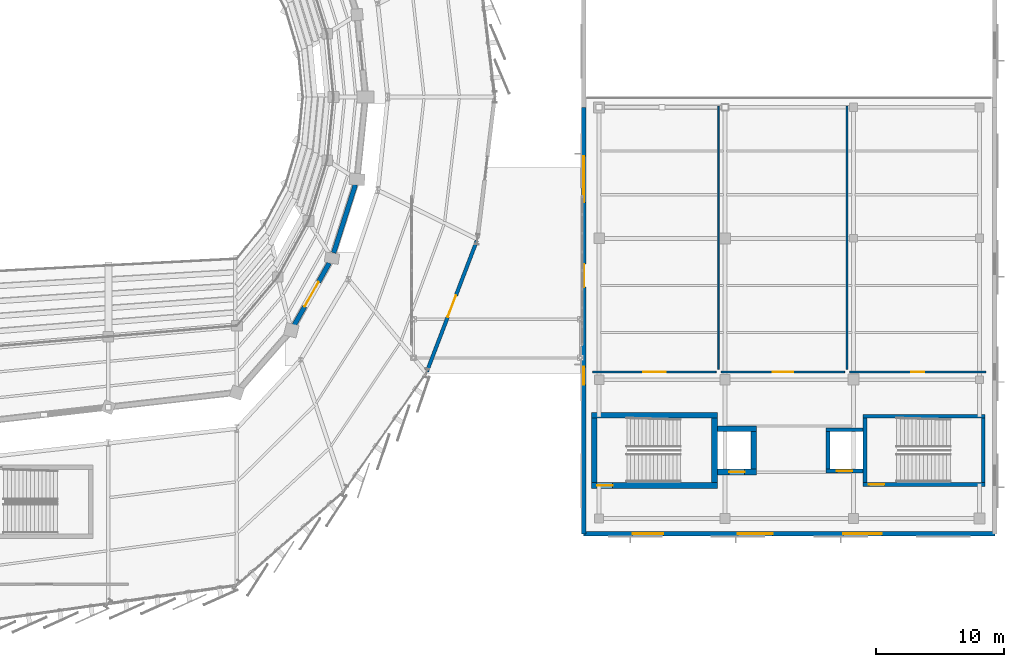
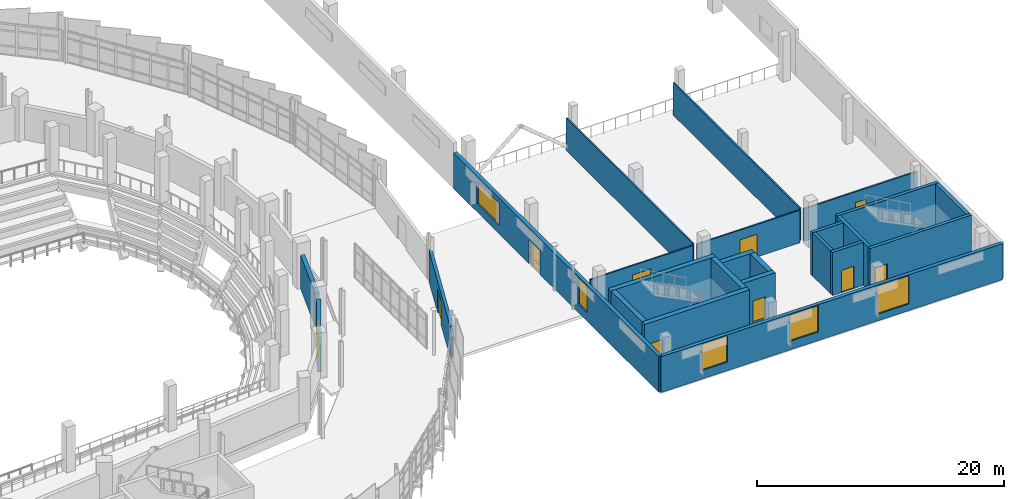
# One storey, part 114 of 134: 24 walls, 10 doors, 5 windows, 15 openings.
"""IFC4 building model written with IfcOpenShell, lengths in metres."""

from ifc_helpers import new_model, si_unit, direction, frame, frame_2d, origin, place, context, subcontext, project, spatial, rectangle, extrude, material, layer, layer_set, type_object, element, fill, save


model = new_model("IFC4")

# Units and contexts
model_context = context("Model", 3, precision=1e-05, world=origin(), true_north=direction((0.0, 1.0)))
body_context = subcontext(model_context, "Body", "Model", "MODEL_VIEW")
ifc_project = project(units=[si_unit("LENGTHUNIT", "METRE"), si_unit("AREAUNIT", "SQUARE_METRE"), si_unit("VOLUMEUNIT", "CUBIC_METRE"), si_unit("PLANEANGLEUNIT", "RADIAN"), si_unit("MASSUNIT", "GRAM", prefix="KILO")], contexts=[model_context])

# Site, building, storey
site_placement = place(None, origin())
site = spatial("IfcSite", under=ifc_project, at=site_placement, CompositionType="ELEMENT")
building_placement = place(site_placement, origin())
building = spatial("IfcBuilding", under=site, at=building_placement, Name="Sohan Crest Arena", CompositionType="ELEMENT")
storey_placement = place(building_placement, frame((0.0, 0.0, 4.5)))
storey = spatial("IfcBuildingStorey", under=building, at=storey_placement, Name="L01", CompositionType="ELEMENT", Elevation=4.5)

# Wall, opening, door
ifc_material_1 = material(Name="Clinker brick and ceramic mosaic envelope wall", Category="masonry")
ifc_layer_1 = layer(ifc_material_1, 0.280029296875, Name="Clinker brick and ceramic mosaic envelope wall")
ifc_layer_set_1 = layer_set([ifc_layer_1], Name="Clinker brick and ceramic mosaic envelope wall")
wall_type_1 = type_object("IfcWallType", Name="WAL-EW02", PredefinedType="SOLIDWALL", material=ifc_layer_set_1)
wall_1_placement = place(storey_placement, frame((182.794921875, 56.632080078125, 0.0), z_axis=(0.0, 0.0, 1.0), x_axis=(0.356562856752, 0.934271335954, 0.0)))
wall_1 = element("IfcWall", 1, at=wall_1_placement, inside=storey, type_object=wall_type_1, Name="External wall EW-090", PredefinedType="SOLIDWALL", context=body_context, shape_type="SweptSolid", body=[
    extrude(rectangle(XDim=10.89306640625, YDim=0.280029296875, at=frame_2d((5.446533203125, 0.0))), origin(), (0.0, 0.0, 1.0), 3.10009765625),
])
opening_1_placement = place(wall_1_placement, frame((4.5458984375, 0.0, 0.0)))
opening_1 = element("IfcOpeningElement", 2, at=opening_1_placement, cuts=wall_1, Name="Opening BD-L01-22", PredefinedType="OPENING", context=body_context, shape_type="SweptSolid", body=[
    extrude(rectangle(XDim=1.800048828125, YDim=2.35009765625, at=frame_2d((0.89990234375, 1.175048828125))), frame((0.0, 0.14990234375, 0.0), z_axis=(0.0, -1.0, 0.0), x_axis=(1.0, 0.0, 0.0)), (0.0, 0.0, 1.0), 0.300048828125),
])
ifc_material_2 = material(Name="Glazed aluminium terrace access door", Category="aluminium")
door_type_1 = type_object("IfcDoorType", Name="DR-ED01", OperationType="DOUBLE_DOOR_SINGLE_SWING", PredefinedType="DOOR", material=ifc_material_2)
door_1_placement = place(opening_1_placement, frame((1.800048828125, 0.0, 0.0), z_axis=(0.0, 0.0, 1.0), x_axis=(-1.0, 0.0, 0.0)))
door_1 = element("IfcDoor", 3, at=door_1_placement, inside=storey, type_object=door_type_1, Name="Covered bridge passage door BD-L01-22", OperationType="DOUBLE_DOOR_SINGLE_SWING", OverallHeight=2.35009765625, OverallWidth=1.800048828125, PredefinedType="DOOR", context=body_context, shape_type="SweptSolid", body=[
    extrude(rectangle(XDim=1.800048828125, YDim=2.35009765625, at=frame_2d((0.89990234375, 1.175048828125))), frame((0.0, 0.02490234375, 0.0), z_axis=(0.0, -1.0, 0.0), x_axis=(1.0, 0.0, 0.0)), (0.0, 0.0, 1.0), 0.050048828125),
])
fill(opening_1, door_1)

# Wall, openings, windows
ifc_material_3 = material(Name="Honed dark basalt stone cladding wall", Category="masonry")
ifc_layer_2 = layer(ifc_material_3, 0.340087890625, Name="Honed dark basalt stone cladding wall")
ifc_layer_set_2 = layer_set([ifc_layer_2], Name="Honed dark basalt stone cladding wall")
wall_type_2 = type_object("IfcWallType", Name="WAL-EW04", PredefinedType="SOLIDWALL", material=ifc_layer_set_2)
wall_2_placement = place(storey_placement, frame((195.0, 44.0, 0.0), z_axis=(0.0, 0.0, 1.0), x_axis=(1.0, 0.0, 0.0)))
wall_2 = element("IfcWall", 4, at=wall_2_placement, inside=storey, type_object=wall_type_2, Name="External wall EW-108", PredefinedType="SOLIDWALL", context=body_context, shape_type="SweptSolid", body=[
    extrude(rectangle(XDim=32.0, YDim=0.340087890625, at=frame_2d((16.0, 0.0))), origin(), (0.0, 0.0, 1.0), 3.550048828125),
])
opening_2_placement = place(wall_2_placement, frame((3.800048828125, 0.0, 0.85009765625)))
opening_2 = element("IfcOpeningElement", 5, at=opening_2_placement, cuts=wall_2, Name="Opening W-003", PredefinedType="OPENING", context=body_context, shape_type="SweptSolid", body=[
    extrude(rectangle(XDim=2.39990234375, YDim=2.60009765625, at=frame_2d((1.199951171875, 1.300048828125))), frame((0.0, 0.179931640625, 0.0), z_axis=(0.0, -1.0, 0.0), x_axis=(1.0, 0.0, 0.0)), (0.0, 0.0, 1.0), 0.360107421875),
])
opening_3_placement = place(wall_2_placement, frame((12.0, 0.0, 0.85009765625)))
opening_3 = element("IfcOpeningElement", 6, at=opening_3_placement, cuts=wall_2, Name="Opening W-004", PredefinedType="OPENING", context=body_context, shape_type="SweptSolid", body=[
    extrude(rectangle(XDim=2.699951171875, YDim=2.60009765625, at=frame_2d((1.35009765625, 1.300048828125))), frame((0.0, 0.179931640625, 0.0), z_axis=(0.0, -1.0, 0.0), x_axis=(1.0, 0.0, 0.0)), (0.0, 0.0, 1.0), 0.360107421875),
])
opening_4_placement = place(wall_2_placement, frame((20.199951171875, 0.0, 0.64990234375)))
opening_4 = element("IfcOpeningElement", 7, at=opening_4_placement, cuts=wall_2, Name="Opening W-005", PredefinedType="OPENING", context=body_context, shape_type="SweptSolid", body=[
    extrude(rectangle(XDim=3.0, YDim=2.800048828125, at=frame_2d((1.5, 1.39990234375))), frame((0.0, 0.179931640625, 0.0), z_axis=(0.0, -1.0, 0.0), x_axis=(1.0, 0.0, 0.0)), (0.0, 0.0, 1.0), 0.360107421875),
])
ifc_material_4 = material(Name="Low-E double-glazed insulated glass", Category="glass")
window_type_1 = type_object("IfcWindowType", Name="WIN-W03", PartitioningType="SINGLE_PANEL", PredefinedType="WINDOW", material=ifc_material_4)
window_1_placement = place(opening_2_placement, origin())
window_1 = element("IfcWindow", 8, at=window_1_placement, inside=storey, type_object=window_type_1, Name="Community wing window W-003", OverallHeight=2.60009765625, OverallWidth=2.39990234375, PartitioningType="SINGLE_PANEL", PredefinedType="WINDOW", context=body_context, shape_type="SweptSolid", body=[
    extrude(rectangle(XDim=2.39990234375, YDim=2.60009765625, at=frame_2d((1.199951171875, 1.300048828125))), frame((0.0, 0.030029296875, 0.0), z_axis=(0.0, -1.0, 0.0), x_axis=(1.0, 0.0, 0.0)), (0.0, 0.0, 1.0), 0.06005859375),
])
fill(opening_2, window_1)
window_type_2 = type_object("IfcWindowType", Name="WIN-W04", PartitioningType="SINGLE_PANEL", PredefinedType="WINDOW", material=ifc_material_4)
window_2_placement = place(opening_3_placement, origin())
window_2 = element("IfcWindow", 9, at=window_2_placement, inside=storey, type_object=window_type_2, Name="Community wing window W-004", OverallHeight=2.60009765625, OverallWidth=2.699951171875, PartitioningType="SINGLE_PANEL", PredefinedType="WINDOW", context=body_context, shape_type="SweptSolid", body=[
    extrude(rectangle(XDim=2.699951171875, YDim=2.60009765625, at=frame_2d((1.35009765625, 1.300048828125))), frame((0.0, 0.030029296875, 0.0), z_axis=(0.0, -1.0, 0.0), x_axis=(1.0, 0.0, 0.0)), (0.0, 0.0, 1.0), 0.06005859375),
])
fill(opening_3, window_2)
window_type_3 = type_object("IfcWindowType", Name="WIN-W05", PartitioningType="SINGLE_PANEL", PredefinedType="WINDOW", material=ifc_material_4)
window_3_placement = place(opening_4_placement, origin())
window_3 = element("IfcWindow", 10, at=window_3_placement, inside=storey, type_object=window_type_3, Name="Community wing window W-005", OverallHeight=2.800048828125, OverallWidth=3.0, PartitioningType="SINGLE_PANEL", PredefinedType="WINDOW", context=body_context, shape_type="SweptSolid", body=[
    extrude(rectangle(XDim=3.0, YDim=2.800048828125, at=frame_2d((1.5, 1.39990234375))), frame((0.0, 0.030029296875, 0.0), z_axis=(0.0, -1.0, 0.0), x_axis=(1.0, 0.0, 0.0)), (0.0, 0.0, 1.0), 0.06005859375),
])
fill(opening_4, window_3)

# Wall, openings, door, windows
wall_3_placement = place(storey_placement, frame((195.0, 77.199951171875, 0.0), z_axis=(0.0, 0.0, 1.0), x_axis=(0.0, -1.0, 0.0)))
wall_3 = element("IfcWall", 11, at=wall_3_placement, inside=storey, type_object=wall_type_2, Name="External wall EW-113", PredefinedType="SOLIDWALL", context=body_context, shape_type="SweptSolid", body=[
    extrude(rectangle(XDim=33.199951171875, YDim=0.340087890625, at=frame_2d((16.60009765625, 0.0))), origin(), (0.0, 0.0, 1.0), 3.550048828125),
])
opening_5_placement = place(wall_3_placement, frame((12.199951171875, 0.0, 0.0)))
opening_5 = element("IfcOpeningElement", 12, at=opening_5_placement, cuts=wall_3, Name="Opening V4B-L01-64", PredefinedType="OPENING", context=body_context, shape_type="SweptSolid", body=[
    extrude(rectangle(XDim=1.800048828125, YDim=2.35009765625, at=frame_2d((0.89990234375, 1.175048828125))), frame((0.0, 0.179931640625, 0.0), z_axis=(0.0, -1.0, 0.0), x_axis=(1.0, 0.0, 0.0)), (0.0, 0.0, 1.0), 0.360107421875),
])
opening_6_placement = place(wall_3_placement, frame((3.800048828125, 0.0, 0.85009765625)))
opening_6 = element("IfcOpeningElement", 13, at=opening_6_placement, cuts=wall_3, Name="Opening W-012", PredefinedType="OPENING", context=body_context, shape_type="SweptSolid", body=[
    extrude(rectangle(XDim=3.60009765625, YDim=2.199951171875, at=frame_2d((1.800048828125, 1.10009765625))), frame((0.0, 0.179931640625, 0.0), z_axis=(0.0, -1.0, 0.0), x_axis=(1.0, 0.0, 0.0)), (0.0, 0.0, 1.0), 0.360107421875),
])
opening_7_placement = place(wall_3_placement, frame((20.199951171875, 0.0, 0.85009765625)))
opening_7 = element("IfcOpeningElement", 14, at=opening_7_placement, cuts=wall_3, Name="Opening W-013", PredefinedType="OPENING", context=body_context, shape_type="SweptSolid", body=[
    extrude(rectangle(XDim=1.39990234375, YDim=2.60009765625, at=frame_2d((0.699951171875, 1.300048828125))), frame((0.0, 0.179931640625, 0.0), z_axis=(0.0, -1.0, 0.0), x_axis=(1.0, 0.0, 0.0)), (0.0, 0.0, 1.0), 0.360107421875),
])
door_2_placement = place(opening_5_placement, frame((1.800048828125, 0.0, 0.0), z_axis=(0.0, 0.0, 1.0), x_axis=(-1.0, 0.0, 0.0)))
door_2 = element("IfcDoor", 15, at=door_2_placement, inside=storey, type_object=door_type_1, Name="Practice hall bridge door V4B-L01-64", OperationType="DOUBLE_DOOR_SINGLE_SWING", OverallHeight=2.35009765625, OverallWidth=1.800048828125, PredefinedType="DOOR", context=body_context, shape_type="SweptSolid", body=[
    extrude(rectangle(XDim=1.800048828125, YDim=2.35009765625, at=frame_2d((0.89990234375, 1.175048828125))), frame((0.0, 0.02490234375, 0.0), z_axis=(0.0, -1.0, 0.0), x_axis=(1.0, 0.0, 0.0)), (0.0, 0.0, 1.0), 0.050048828125),
])
fill(opening_5, door_2)
window_type_4 = type_object("IfcWindowType", Name="WIN-W12", PartitioningType="SINGLE_PANEL", PredefinedType="WINDOW", material=ifc_material_4)
window_4_placement = place(opening_6_placement, origin())
window_4 = element("IfcWindow", 16, at=window_4_placement, inside=storey, type_object=window_type_4, Name="Community wing window W-012", OverallHeight=2.199951171875, OverallWidth=3.60009765625, PartitioningType="SINGLE_PANEL", PredefinedType="WINDOW", context=body_context, shape_type="SweptSolid", body=[
    extrude(rectangle(XDim=3.60009765625, YDim=2.199951171875, at=frame_2d((1.800048828125, 1.10009765625))), frame((0.0, 0.030029296875, 0.0), z_axis=(0.0, -1.0, 0.0), x_axis=(1.0, 0.0, 0.0)), (0.0, 0.0, 1.0), 0.06005859375),
])
fill(opening_6, window_4)
window_type_5 = type_object("IfcWindowType", Name="WIN-W13", PartitioningType="SINGLE_PANEL", PredefinedType="WINDOW", material=ifc_material_4)
window_5_placement = place(opening_7_placement, origin())
window_5 = element("IfcWindow", 17, at=window_5_placement, inside=storey, type_object=window_type_5, Name="Community wing window W-013", OverallHeight=2.60009765625, OverallWidth=1.39990234375, PartitioningType="SINGLE_PANEL", PredefinedType="WINDOW", context=body_context, shape_type="SweptSolid", body=[
    extrude(rectangle(XDim=1.39990234375, YDim=2.60009765625, at=frame_2d((0.699951171875, 1.300048828125))), frame((0.0, 0.030029296875, 0.0), z_axis=(0.0, -1.0, 0.0), x_axis=(1.0, 0.0, 0.0)), (0.0, 0.0, 1.0), 0.06005859375),
])
fill(opening_7, window_5)

# Wall, opening, door
ifc_material_5 = material(Name="Acoustic insulated bowl drum enclosure wall", Category="masonry")
ifc_layer_3 = layer(ifc_material_5, 0.3701171875, Name="Acoustic insulated bowl drum enclosure wall")
ifc_layer_set_3 = layer_set([ifc_layer_3], Name="Acoustic insulated bowl drum enclosure wall")
wall_type_3 = type_object("IfcWallType", Name="WAL-EW05", PredefinedType="SOLIDWALL", material=ifc_layer_set_3)
wall_4_placement = place(storey_placement, frame((172.458984375, 60.22900390625, 0.0), z_axis=(0.0, 0.0, 1.0), x_axis=(0.491617455844, 0.870811275254, 0.0)))
wall_4 = element("IfcWall", 18, at=wall_4_placement, inside=storey, type_object=wall_type_3, Name="Acoustic bowl drum wall BW-L01-21", PredefinedType="SOLIDWALL", context=body_context, shape_type="SweptSolid", body=[
    extrude(rectangle(XDim=5.5615234375, YDim=0.3701171875, at=frame_2d((2.78076171875, 0.0))), origin(), (0.0, 0.0, 1.0), 3.300048828125),
])
opening_8_placement = place(wall_4_placement, frame((1.680908203125, 0.0, 0.0)))
opening_8 = element("IfcOpeningElement", 19, at=opening_8_placement, cuts=wall_4, Name="Opening VD-L01-21", PredefinedType="OPENING", context=body_context, shape_type="SweptSolid", body=[
    extrude(rectangle(XDim=2.199951171875, YDim=2.300048828125, at=frame_2d((1.10009765625, 1.14990234375))), frame((0.0, 0.195068359375, 0.0), z_axis=(0.0, -1.0, 0.0), x_axis=(1.0, 0.0, 0.0)), (0.0, 0.0, 1.0), 0.39013671875),
])
ifc_material_6 = material(Name="Fire-rated steel double escape door", Category="steel")
door_type_2 = type_object("IfcDoorType", Name="DR-FD01", OperationType="DOUBLE_DOOR_SINGLE_SWING", PredefinedType="DOOR", material=ifc_material_6)
door_3_placement = place(opening_8_placement, origin())
door_3 = element("IfcDoor", 20, at=door_3_placement, inside=storey, type_object=door_type_2, Name="Bowl vomitory portal fire door VD-L01-21", OperationType="DOUBLE_DOOR_SINGLE_SWING", OverallHeight=2.300048828125, OverallWidth=2.199951171875, PredefinedType="DOOR", context=body_context, shape_type="SweptSolid", body=[
    extrude(rectangle(XDim=2.199951171875, YDim=2.300048828125, at=frame_2d((1.10009765625, 1.14990234375))), frame((0.0, 0.02490234375, 0.0), z_axis=(0.0, -1.0, 0.0), x_axis=(1.0, 0.0, 0.0)), (0.0, 0.0, 1.0), 0.050048828125),
])
fill(opening_8, door_3)

# Walls
wall_5_placement = place(storey_placement, frame((175.5419921875, 65.8740234375, 0.0), z_axis=(0.0, 0.0, 1.0), x_axis=(0.30346633641, 0.952842160416, 0.0)))
element("IfcWall", 21, at=wall_5_placement, inside=storey, type_object=wall_type_3, Name="Acoustic bowl drum wall BW-L01-22", PredefinedType="SOLIDWALL", context=body_context, shape_type="SweptSolid", body=[
    extrude(rectangle(XDim=5.562255859375, YDim=0.3701171875, at=frame_2d((2.78125, 0.0))), origin(), (0.0, 0.0, 1.0), 3.300048828125),
])
ifc_material_7 = material(Name="Suite acoustic stud partition", Category="masonry")
ifc_layer_4 = layer(ifc_material_7, 0.135009765625, Name="Suite acoustic stud partition")
ifc_layer_set_4 = layer_set([ifc_layer_4], Name="Suite acoustic stud partition")
wall_type_4 = type_object("IfcWallType", Name="WAL-PW02", PredefinedType="PARTITIONING", material=ifc_layer_set_4)
for number, where, z_axis, x_axis, name in (
    (22, (205.5, 56.800048828125, 0.0), (0.0, 0.0, 1.0), (0.0, 1.0, 0.0), "Interior partition wall PW-0899"),
    (23, (215.5, 56.800048828125, 0.0), (0.0, 0.0, 1.0), (0.0, 1.0, 0.0), "Interior partition wall PW-0900"),
):
    element("IfcWall", number, at=place(storey_placement, frame(where, z_axis=z_axis, x_axis=x_axis)), inside=storey, type_object=wall_type_4, Name=name, PredefinedType="PARTITIONING", context=body_context, shape_type="SweptSolid", body=[
        extrude(rectangle(XDim=20.5, YDim=0.135009765625, at=frame_2d((10.25, 0.0))), origin(), (0.0, 0.0, 1.0), 3.219970703125),
    ])

# Wall, opening, door
wall_6_placement = place(storey_placement, frame((195.699951171875, 56.60009765625, 0.0), z_axis=(0.0, 0.0, 1.0), x_axis=(1.0, 0.0, 0.0)))
wall_6 = element("IfcWall", 24, at=wall_6_placement, inside=storey, type_object=wall_type_4, Name="Interior partition wall PW-0901", PredefinedType="PARTITIONING", context=body_context, shape_type="SweptSolid", body=[
    extrude(rectangle(XDim=9.60009765625, YDim=0.135009765625, at=frame_2d((4.800048828125, 0.0))), origin(), (0.0, 0.0, 1.0), 3.219970703125),
])
opening_9_placement = place(wall_6_placement, frame((3.929931640625, 0.0, 0.0)))
opening_9 = element("IfcOpeningElement", 25, at=opening_9_placement, cuts=wall_6, Name="Opening V4D-0265", PredefinedType="OPENING", context=body_context, shape_type="SweptSolid", body=[
    extrude(rectangle(XDim=1.739990234375, YDim=2.300048828125, at=frame_2d((0.8701171875, 1.14990234375))), frame((0.0, 0.077392578125, 0.0), z_axis=(0.0, -1.0, 0.0), x_axis=(1.0, 0.0, 0.0)), (0.0, 0.0, 1.0), 0.155029296875),
])
ifc_material_8 = material(Name="Solid oak acoustic room door", Category="wood")
door_type_3 = type_object("IfcDoorType", Name="DR-ID17", OperationType="DOUBLE_DOOR_SINGLE_SWING", PredefinedType="DOOR", material=ifc_material_8)
door_4_placement = place(opening_9_placement, origin())
door_4 = element("IfcDoor", 26, at=door_4_placement, inside=storey, type_object=door_type_3, Name="Community Sports Classroom 1 door V4D-0265", OperationType="DOUBLE_DOOR_SINGLE_SWING", OverallHeight=2.300048828125, OverallWidth=1.739990234375, PredefinedType="DOOR", context=body_context, shape_type="SweptSolid", body=[
    extrude(rectangle(XDim=1.739990234375, YDim=2.300048828125, at=frame_2d((0.8701171875, 1.14990234375))), frame((0.0, 0.02490234375, 0.0), z_axis=(0.0, -1.0, 0.0), x_axis=(1.0, 0.0, 0.0)), (0.0, 0.0, 1.0), 0.050048828125),
])
fill(opening_9, door_4)

wall_7_placement = place(storey_placement, frame((205.699951171875, 56.60009765625, 0.0), z_axis=(0.0, 0.0, 1.0), x_axis=(1.0, 0.0, 0.0)))
wall_7 = element("IfcWall", 27, at=wall_7_placement, inside=storey, type_object=wall_type_4, Name="Interior partition wall PW-0902", PredefinedType="PARTITIONING", context=body_context, shape_type="SweptSolid", body=[
    extrude(rectangle(XDim=9.60009765625, YDim=0.135009765625, at=frame_2d((4.800048828125, 0.0))), origin(), (0.0, 0.0, 1.0), 3.219970703125),
])
opening_10_placement = place(wall_7_placement, frame((4.0, 0.0, 0.0)))
opening_10 = element("IfcOpeningElement", 28, at=opening_10_placement, cuts=wall_7, Name="Opening V4D-0266", PredefinedType="OPENING", context=body_context, shape_type="SweptSolid", body=[
    extrude(rectangle(XDim=1.60009765625, YDim=2.25, at=frame_2d((0.800048828125, 1.125))), frame((0.0, 0.077392578125, 0.0), z_axis=(0.0, -1.0, 0.0), x_axis=(1.0, 0.0, 0.0)), (0.0, 0.0, 1.0), 0.155029296875),
])
ifc_material_9 = material(Name="Solid oak acoustic club lounge double door", Category="wood")
door_type_4 = type_object("IfcDoorType", Name="DR-ID01", OperationType="DOUBLE_DOOR_SINGLE_SWING", PredefinedType="DOOR", material=ifc_material_9)
door_5_placement = place(opening_10_placement, origin())
door_5 = element("IfcDoor", 29, at=door_5_placement, inside=storey, type_object=door_type_4, Name="Community Sports Classroom 2 door V4D-0266", OperationType="DOUBLE_DOOR_SINGLE_SWING", OverallHeight=2.25, OverallWidth=1.60009765625, PredefinedType="DOOR", context=body_context, shape_type="SweptSolid", body=[
    extrude(rectangle(XDim=1.60009765625, YDim=2.25, at=frame_2d((0.800048828125, 1.125))), frame((0.0, 0.02490234375, 0.0), z_axis=(0.0, -1.0, 0.0), x_axis=(1.0, 0.0, 0.0)), (0.0, 0.0, 1.0), 0.050048828125),
])
fill(opening_10, door_5)

ifc_material_10 = material(Name="Wet-area moisture-resistant masonry partition", Category="masonry")
ifc_layer_5 = layer(ifc_material_10, 0.14990234375, Name="Wet-area moisture-resistant masonry partition")
ifc_layer_set_5 = layer_set([ifc_layer_5], Name="Wet-area moisture-resistant masonry partition")
wall_type_5 = type_object("IfcWallType", Name="WAL-PW03", PredefinedType="PARTITIONING", material=ifc_layer_set_5)
wall_8_placement = place(storey_placement, frame((215.699951171875, 56.60009765625, 0.0), z_axis=(0.0, 0.0, 1.0), x_axis=(1.0, 0.0, 0.0)))
wall_8 = element("IfcWall", 30, at=wall_8_placement, inside=storey, type_object=wall_type_5, Name="Interior partition wall PW-0903", PredefinedType="PARTITIONING", context=body_context, shape_type="SweptSolid", body=[
    extrude(rectangle(XDim=10.60009765625, YDim=0.14990234375, at=frame_2d((5.300048828125, 0.0))), origin(), (0.0, 0.0, 1.0), 3.219970703125),
])
opening_11_placement = place(wall_8_placement, frame((4.7900390625, 0.0, 0.0)))
opening_11 = element("IfcOpeningElement", 31, at=opening_11_placement, cuts=wall_8, Name="Opening WC-0267", PredefinedType="OPENING", context=body_context, shape_type="SweptSolid", body=[
    extrude(rectangle(XDim=1.02001953125, YDim=2.14990234375, at=frame_2d((0.510009765625, 1.074951171875))), frame((0.0, 0.0849609375, 0.0), z_axis=(0.0, -1.0, 0.0), x_axis=(1.0, 0.0, 0.0)), (0.0, 0.0, 1.0), 0.169921875),
])
ifc_material_11 = material(Name="Accessible toilet and dressing room door", Category="wood")
door_type_5 = type_object("IfcDoorType", Name="DR-ID03", OperationType="NOTDEFINED", PredefinedType="DOOR", material=ifc_material_11)
door_6_placement = place(opening_11_placement, origin())
door_6 = element("IfcDoor", 32, at=door_6_placement, inside=storey, type_object=door_type_5, Name="Practice Viewing Gallery and Accessible WC L01 door WC-0267", OperationType="SINGLE_SWING_RIGHT", OverallHeight=2.14990234375, OverallWidth=1.02001953125, PredefinedType="DOOR", context=body_context, shape_type="SweptSolid", body=[
    extrude(rectangle(XDim=1.02001953125, YDim=2.14990234375, at=frame_2d((0.510009765625, 1.074951171875))), frame((0.0, 0.02490234375, 0.0), z_axis=(0.0, -1.0, 0.0), x_axis=(1.0, 0.0, 0.0)), (0.0, 0.0, 1.0), 0.050048828125),
])
fill(opening_11, door_6)

# Walls
ifc_material_12 = material(Name="Concrete C40/50", Category="concrete")
ifc_layer_6 = layer(ifc_material_12, 0.300048828125, Name="Concrete C40/50")
ifc_layer_set_6 = layer_set([ifc_layer_6], Name="Concrete C40/50")
wall_type_6 = type_object("IfcWallType", Name="WAL-SW01", PredefinedType="SHEAR", material=ifc_layer_set_6)
for number, where, z_axis, x_axis, name in (
    (33, (216.89990234375, 48.0, 0.0), (0.0, 0.0, 1.0), (0.0, 1.0, 0.0), "Core shear wall SW-0628"),
    (34, (226.10009765625, 48.0, 0.0), (0.0, 0.0, 1.0), (0.0, 1.0, 0.0), "Core shear wall SW-0629"),
):
    element("IfcWall", number, at=place(storey_placement, frame(where, z_axis=z_axis, x_axis=x_axis)), inside=storey, type_object=wall_type_6, Name=name, PredefinedType="SHEAR", context=body_context, shape_type="SweptSolid", body=[
        extrude(rectangle(XDim=5.0, YDim=0.300048828125, at=frame_2d((2.5, 0.0))), origin(), (0.0, 0.0, 1.0), 4.27001953125),
    ])

# Wall, opening, door
wall_9_placement = place(storey_placement, frame((216.75, 47.85009765625, 0.0), z_axis=(0.0, 0.0, 1.0), x_axis=(1.0, 0.0, 0.0)))
wall_9 = element("IfcWall", 35, at=wall_9_placement, inside=storey, type_object=wall_type_6, Name="Core shear wall SW-0630", PredefinedType="SHEAR", context=body_context, shape_type="SweptSolid", body=[
    extrude(rectangle(XDim=9.5, YDim=0.300048828125, at=frame_2d((4.75, 0.0))), origin(), (0.0, 0.0, 1.0), 4.27001953125),
])
opening_12_placement = place(wall_9_placement, frame((0.449951171875, 0.0, 0.0)))
opening_12 = element("IfcOpeningElement", 36, at=opening_12_placement, cuts=wall_9, Name="Opening SD-0169", PredefinedType="OPENING", context=body_context, shape_type="SweptSolid", body=[
    extrude(rectangle(XDim=1.199951171875, YDim=2.199951171875, at=frame_2d((0.60009765625, 1.10009765625))), frame((0.0, 0.159912109375, 0.0), z_axis=(0.0, -1.0, 0.0), x_axis=(1.0, 0.0, 0.0)), (0.0, 0.0, 1.0), 0.320068359375),
])
ifc_material_13 = material(Name="Fire-rated steel stair and lobby door", Category="steel")
door_type_6 = type_object("IfcDoorType", Name="DR-FD04", OperationType="NOTDEFINED", PredefinedType="DOOR", material=ifc_material_13)
door_7_placement = place(opening_12_placement, frame((1.199951171875, 0.0, 0.0), z_axis=(0.0, 0.0, 1.0), x_axis=(-1.0, 0.0, 0.0)))
door_7 = element("IfcDoor", 37, at=door_7_placement, inside=storey, type_object=door_type_6, Name="Protected stair door SD-0169", OperationType="SINGLE_SWING_RIGHT", OverallHeight=2.199951171875, OverallWidth=1.199951171875, PredefinedType="DOOR", context=body_context, shape_type="SweptSolid", body=[
    extrude(rectangle(XDim=1.199951171875, YDim=2.199951171875, at=frame_2d((0.60009765625, 1.10009765625))), frame((0.0, 0.02490234375, 0.0), z_axis=(0.0, -1.0, 0.0), x_axis=(1.0, 0.0, 0.0)), (0.0, 0.0, 1.0), 0.050048828125),
])
fill(opening_12, door_7)

# Walls
wall_10_placement = place(storey_placement, frame((216.75, 53.14990234375, 0.0), z_axis=(0.0, 0.0, 1.0), x_axis=(1.0, 0.0, 0.0)))
element("IfcWall", 38, at=wall_10_placement, inside=storey, type_object=wall_type_6, Name="Core shear wall SW-0631", PredefinedType="SHEAR", context=body_context, shape_type="SweptSolid", body=[
    extrude(rectangle(XDim=9.5, YDim=0.300048828125, at=frame_2d((4.75, 0.0))), origin(), (0.0, 0.0, 1.0), 4.27001953125),
])
wall_11_placement = place(storey_placement, frame((214.0, 49.050048828125, 0.0), z_axis=(0.0, 0.0, 1.0), x_axis=(0.0, 1.0, 0.0)))
element("IfcWall", 39, at=wall_11_placement, inside=storey, type_object=wall_type_6, Name="Core shear wall SW-0632", PredefinedType="SHEAR", context=body_context, shape_type="SweptSolid", body=[
    extrude(rectangle(XDim=2.89990234375, YDim=0.300048828125, at=frame_2d((1.449951171875, 0.0))), origin(), (0.0, 0.0, 1.0), 4.27001953125),
])

# Wall, opening, door
wall_12_placement = place(storey_placement, frame((213.85009765625, 48.89990234375, 0.0), z_axis=(0.0, 0.0, 1.0), x_axis=(1.0, 0.0, 0.0)))
wall_12 = element("IfcWall", 40, at=wall_12_placement, inside=storey, type_object=wall_type_6, Name="Core shear wall SW-0633", PredefinedType="SHEAR", context=body_context, shape_type="SweptSolid", body=[
    extrude(rectangle(XDim=2.89990234375, YDim=0.300048828125, at=frame_2d((1.449951171875, 0.0))), origin(), (0.0, 0.0, 1.0), 4.27001953125),
])
opening_13_placement = place(wall_12_placement, frame((0.85009765625, 0.0, 0.0)))
opening_13 = element("IfcOpeningElement", 41, at=opening_13_placement, cuts=wall_12, Name="Opening LD-LP12-L01", PredefinedType="OPENING", context=body_context, shape_type="SweptSolid", body=[
    extrude(rectangle(XDim=1.199951171875, YDim=2.199951171875, at=frame_2d((0.60009765625, 1.10009765625))), frame((0.0, 0.159912109375, 0.0), z_axis=(0.0, -1.0, 0.0), x_axis=(1.0, 0.0, 0.0)), (0.0, 0.0, 1.0), 0.320068359375),
])
ifc_material_14 = material(Name="Stainless steel passenger lift landing door", Category="steel")
door_type_7 = type_object("IfcDoorType", Name="DR-LD02", OperationType="SLIDING_TO_LEFT", PredefinedType="DOOR", material=ifc_material_14)
door_8_placement = place(opening_13_placement, origin())
door_8 = element("IfcDoor", 42, at=door_8_placement, inside=storey, type_object=door_type_7, Name="Sliding lift landing door LD-LP12-L01", OperationType="SLIDING_TO_LEFT", OverallHeight=2.199951171875, OverallWidth=1.199951171875, PredefinedType="DOOR", context=body_context, shape_type="SweptSolid", body=[
    extrude(rectangle(XDim=1.199951171875, YDim=2.199951171875, at=frame_2d((0.60009765625, 1.10009765625))), frame((0.0, 0.02490234375, 0.0), z_axis=(0.0, -1.0, 0.0), x_axis=(1.0, 0.0, 0.0)), (0.0, 0.0, 1.0), 0.050048828125),
])
fill(opening_13, door_8)

# Walls
wall_13_placement = place(storey_placement, frame((213.85009765625, 52.10009765625, 0.0), z_axis=(0.0, 0.0, 1.0), x_axis=(1.0, 0.0, 0.0)))
element("IfcWall", 43, at=wall_13_placement, inside=storey, type_object=wall_type_6, Name="Core shear wall SW-0634", PredefinedType="SHEAR", context=body_context, shape_type="SweptSolid", body=[
    extrude(rectangle(XDim=2.89990234375, YDim=0.300048828125, at=frame_2d((1.449951171875, 0.0))), origin(), (0.0, 0.0, 1.0), 4.27001953125),
])
ifc_layer_7 = layer(ifc_material_12, 0.449951171875, Name="Concrete C40/50")
ifc_layer_set_7 = layer_set([ifc_layer_7], Name="Concrete C40/50")
wall_type_7 = type_object("IfcWallType", Name="WAL-SW04", PredefinedType="SHEAR", material=ifc_layer_set_7)
for number, where, z_axis, x_axis, name in (
    (44, (195.824951171875, 48.0, 0.0), (0.0, 0.0, 1.0), (0.0, 1.0, 0.0), "Core shear wall SW-0596"),
    (45, (205.175048828125, 48.0, 0.0), (0.0, 0.0, 1.0), (0.0, 1.0, 0.0), "Core shear wall SW-0597"),
):
    element("IfcWall", number, at=place(storey_placement, frame(where, z_axis=z_axis, x_axis=x_axis)), inside=storey, type_object=wall_type_7, Name=name, PredefinedType="SHEAR", context=body_context, shape_type="SweptSolid", body=[
        extrude(rectangle(XDim=5.0, YDim=0.449951171875, at=frame_2d((2.5, 0.0))), origin(), (0.0, 0.0, 1.0), 4.27001953125),
    ])

# Wall, opening, door
wall_14_placement = place(storey_placement, frame((195.60009765625, 47.77490234375, 0.0), z_axis=(0.0, 0.0, 1.0), x_axis=(1.0, 0.0, 0.0)))
wall_14 = element("IfcWall", 46, at=wall_14_placement, inside=storey, type_object=wall_type_7, Name="Core shear wall SW-0598", PredefinedType="SHEAR", context=body_context, shape_type="SweptSolid", body=[
    extrude(rectangle(XDim=9.7998046875, YDim=0.449951171875, at=frame_2d((4.89990234375, 0.0))), origin(), (0.0, 0.0, 1.0), 4.27001953125),
])
opening_14_placement = place(wall_14_placement, frame((0.449951171875, 0.0, 0.0)))
opening_14 = element("IfcOpeningElement", 47, at=opening_14_placement, cuts=wall_14, Name="Opening SD-0161", PredefinedType="OPENING", context=body_context, shape_type="SweptSolid", body=[
    extrude(rectangle(XDim=1.199951171875, YDim=2.199951171875, at=frame_2d((0.60009765625, 1.10009765625))), frame((0.0, 0.23486328125, 0.0), z_axis=(0.0, -1.0, 0.0), x_axis=(1.0, 0.0, 0.0)), (0.0, 0.0, 1.0), 0.469970703125),
])
door_9_placement = place(opening_14_placement, frame((1.199951171875, 0.0, 0.0), z_axis=(0.0, 0.0, 1.0), x_axis=(-1.0, 0.0, 0.0)))
door_9 = element("IfcDoor", 48, at=door_9_placement, inside=storey, type_object=door_type_6, Name="Protected stair door SD-0161", OperationType="SINGLE_SWING_RIGHT", OverallHeight=2.199951171875, OverallWidth=1.199951171875, PredefinedType="DOOR", context=body_context, shape_type="SweptSolid", body=[
    extrude(rectangle(XDim=1.199951171875, YDim=2.199951171875, at=frame_2d((0.60009765625, 1.10009765625))), frame((0.0, 0.02490234375, 0.0), z_axis=(0.0, -1.0, 0.0), x_axis=(1.0, 0.0, 0.0)), (0.0, 0.0, 1.0), 0.050048828125),
])
fill(opening_14, door_9)

# Walls
wall_15_placement = place(storey_placement, frame((195.60009765625, 53.22509765625, 0.0), z_axis=(0.0, 0.0, 1.0), x_axis=(1.0, 0.0, 0.0)))
element("IfcWall", 49, at=wall_15_placement, inside=storey, type_object=wall_type_7, Name="Core shear wall SW-0599", PredefinedType="SHEAR", context=body_context, shape_type="SweptSolid", body=[
    extrude(rectangle(XDim=9.7998046875, YDim=0.449951171875, at=frame_2d((4.89990234375, 0.0))), origin(), (0.0, 0.0, 1.0), 4.27001953125),
])
wall_16_placement = place(storey_placement, frame((208.22509765625, 49.050048828125, 0.0), z_axis=(0.0, 0.0, 1.0), x_axis=(0.0, 1.0, 0.0)))
element("IfcWall", 50, at=wall_16_placement, inside=storey, type_object=wall_type_7, Name="Core shear wall SW-0600", PredefinedType="SHEAR", context=body_context, shape_type="SweptSolid", body=[
    extrude(rectangle(XDim=2.89990234375, YDim=0.449951171875, at=frame_2d((1.449951171875, 0.0))), origin(), (0.0, 0.0, 1.0), 4.27001953125),
])

# Wall, opening, door
wall_17_placement = place(storey_placement, frame((205.39990234375, 48.824951171875, 0.0), z_axis=(0.0, 0.0, 1.0), x_axis=(1.0, 0.0, 0.0)))
wall_17 = element("IfcWall", 51, at=wall_17_placement, inside=storey, type_object=wall_type_7, Name="Core shear wall SW-0601", PredefinedType="SHEAR", context=body_context, shape_type="SweptSolid", body=[
    extrude(rectangle(XDim=3.050048828125, YDim=0.449951171875, at=frame_2d((1.52490234375, 0.0))), origin(), (0.0, 0.0, 1.0), 4.27001953125),
])
opening_15_placement = place(wall_17_placement, frame((0.925048828125, 0.0, 0.0)))
opening_15 = element("IfcOpeningElement", 52, at=opening_15_placement, cuts=wall_17, Name="Opening LD-LP11-L01", PredefinedType="OPENING", context=body_context, shape_type="SweptSolid", body=[
    extrude(rectangle(XDim=1.199951171875, YDim=2.199951171875, at=frame_2d((0.60009765625, 1.10009765625))), frame((0.0, 0.23486328125, 0.0), z_axis=(0.0, -1.0, 0.0), x_axis=(1.0, 0.0, 0.0)), (0.0, 0.0, 1.0), 0.469970703125),
])
door_10_placement = place(opening_15_placement, origin())
door_10 = element("IfcDoor", 53, at=door_10_placement, inside=storey, type_object=door_type_7, Name="Sliding lift landing door LD-LP11-L01", OperationType="SLIDING_TO_LEFT", OverallHeight=2.199951171875, OverallWidth=1.199951171875, PredefinedType="DOOR", context=body_context, shape_type="SweptSolid", body=[
    extrude(rectangle(XDim=1.199951171875, YDim=2.199951171875, at=frame_2d((0.60009765625, 1.10009765625))), frame((0.0, 0.02490234375, 0.0), z_axis=(0.0, -1.0, 0.0), x_axis=(1.0, 0.0, 0.0)), (0.0, 0.0, 1.0), 0.050048828125),
])
fill(opening_15, door_10)

# Wall
wall_18_placement = place(storey_placement, frame((205.39990234375, 52.175048828125, 0.0), z_axis=(0.0, 0.0, 1.0), x_axis=(1.0, 0.0, 0.0)))
element("IfcWall", 54, at=wall_18_placement, inside=storey, type_object=wall_type_7, Name="Core shear wall SW-0602", PredefinedType="SHEAR", context=body_context, shape_type="SweptSolid", body=[
    extrude(rectangle(XDim=3.050048828125, YDim=0.449951171875, at=frame_2d((1.52490234375, 0.0))), origin(), (0.0, 0.0, 1.0), 4.27001953125),
])

save(model, "model.ifc")
